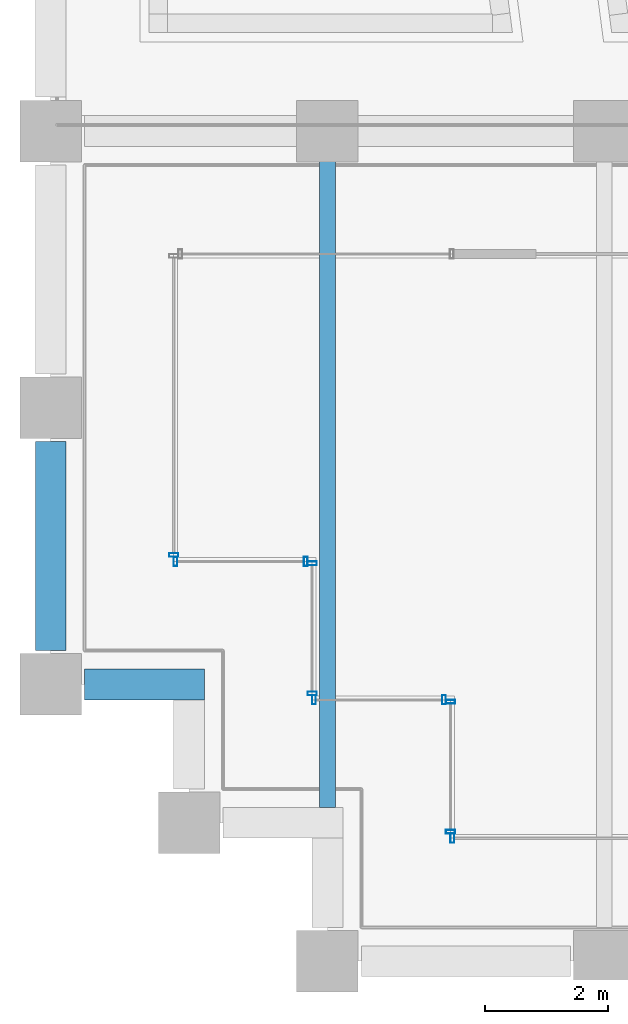
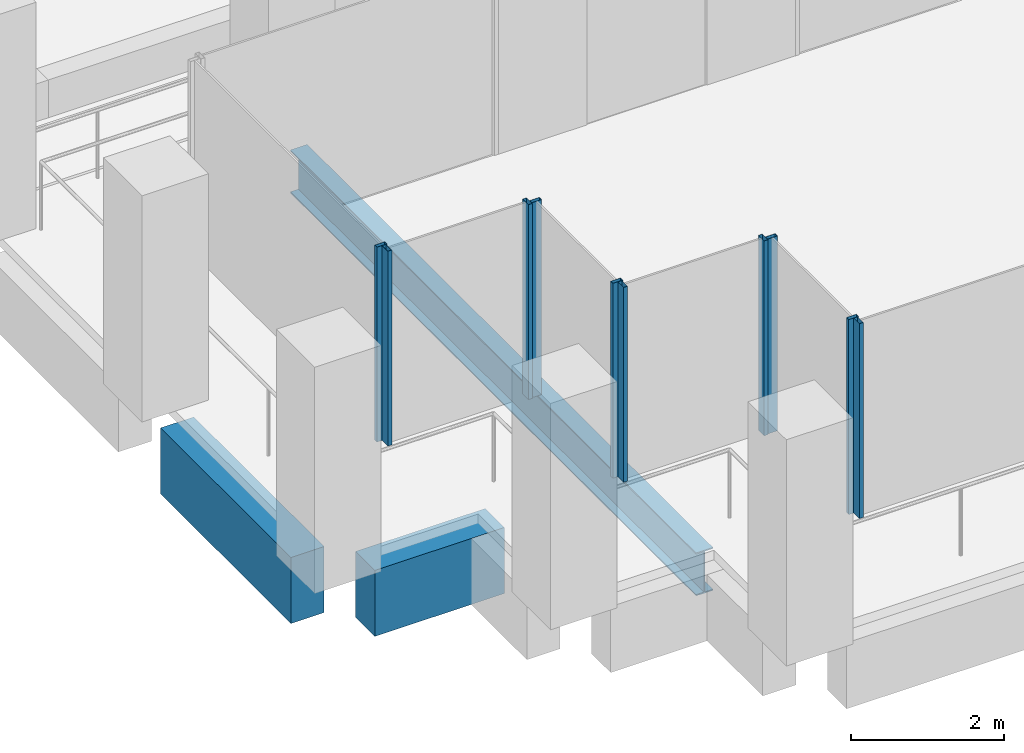
# One storey, part 2 of 52: 10 members, 3 beams, 6 elements without a shape of their own.
"""IFC4 building model written with IfcOpenShell, lengths in metres."""

from ifc_helpers import new_model, si_unit, direction, frame, origin, origin_2d, place, context, subcontext, project, spatial, rectangle, hollow_rectangle, i_section, extrude, material, material_profile, profile_set, type_object, element, aggregate, save


model = new_model("IFC4")

# Units and contexts
model_context = context("Model", 3, precision=1e-05, world=origin(), true_north=direction((0.0, 1.0)))
body_context = subcontext(model_context, "Body", "Model", "MODEL_VIEW")
ifc_project = project(units=[si_unit("LENGTHUNIT", "METRE"), si_unit("AREAUNIT", "SQUARE_METRE"), si_unit("VOLUMEUNIT", "CUBIC_METRE"), si_unit("PLANEANGLEUNIT", "RADIAN"), si_unit("MASSUNIT", "GRAM", prefix="KILO")], contexts=[model_context])

# Site, building, storey
site_placement = place(None, origin())
site = spatial("IfcSite", under=ifc_project, at=site_placement, CompositionType="ELEMENT")
building_placement = place(site_placement, origin())
building = spatial("IfcBuilding", under=site, at=building_placement, Name="Altepetl Exchange Towers", CompositionType="ELEMENT")
storey_placement = place(building_placement, frame((0.0, 0.0, 92.0)))
storey = spatial("IfcBuildingStorey", under=building, at=storey_placement, Name="L22", CompositionType="ELEMENT", Elevation=92.0)

# Beam
ifc_material_1 = material(Name="Steel S355", Category="steel")
ifc_material_profile_1 = material_profile(ifc_material_1, i_section(OverallWidth=0.25390625, OverallDepth=0.68408203125, WebThickness=0.012451171875, FlangeThickness=0.018798828125, at=origin_2d()), Name="W27X94")
ifc_profile_set_1 = profile_set([ifc_material_profile_1], Name="Steel S355")
beam_type_1 = type_object("IfcBeamType", Name="Floor beam W27X94", PredefinedType="BEAM", material=ifc_profile_set_1)
beam_1_placement = place(storey_placement, frame((31.5, 29.5, -0.491943359375), z_axis=(0.0, 1.0, 0.0), x_axis=(-1.0, 0.0, 0.0)))
element("IfcBeam", 1, at=beam_1_placement, inside=storey, type_object=beam_type_1, Name="bm:A:L22:012", PredefinedType="BEAM", context=body_context, shape_type="SweptSolid", body=[
    extrude(i_section(OverallWidth=0.25390625, OverallDepth=0.68408203125, WebThickness=0.012451171875, FlangeThickness=0.018798828125, at=origin_2d()), origin(), (0.0, 0.0, 1.0), 10.574951171875),
])

# Curtain wall, member
ifc_material_2 = material(Name="Aluminium 6063-T6 glazing", Category="aluminium")
curtain_wall_type = type_object("IfcCurtainWallType", Name="Loggia glazing system", PredefinedType="NOTDEFINED", material=ifc_material_2)
curtain_wall_1_placement = place(storey_placement, origin())
curtain_wall_1 = element("IfcCurtainWall", 2, at=curtain_wall_1_placement, inside=storey, type_object=curtain_wall_type, Name="CW1 run", PredefinedType="NOTDEFINED")
ifc_material_3 = material(Name="Aluminium 6063-T6", Category="aluminium")
ifc_material_profile_2 = material_profile(ifc_material_3, hollow_rectangle(XDim=0.06005859375, YDim=0.14990234375, WallThickness=0.0029296875, at=origin_2d()), Name="Mullion 60x150 aluminium")
ifc_profile_set_2 = profile_set([ifc_material_profile_2], Name="Aluminium 6063-T6")
member_type = type_object("IfcMemberType", Name="Mullion 60x150 aluminium", PredefinedType="MULLION", material=ifc_profile_set_2)
member_1_placement = place(storey_placement, frame((29.0, 33.60498046875, 0.0), z_axis=(0.0, 0.0, 1.0), x_axis=(0.0, -1.0, 0.0)))
member_1 = element("IfcMember", 3, at=member_1_placement, type_object=member_type, Name="MU1 mullion", PredefinedType="MULLION", context=body_context, shape_type="SweptSolid", body=[
    extrude(hollow_rectangle(XDim=0.06005859375, YDim=0.14990234375, WallThickness=0.0029296875, at=origin_2d()), origin(), (0.0, 0.0, 1.0), 3.10009765625),
])
aggregate(curtain_wall_1, [member_1])

# Curtain wall, members
curtain_wall_2_placement = place(storey_placement, origin())
curtain_wall_2 = element("IfcCurtainWall", 4, at=curtain_wall_2_placement, inside=storey, type_object=curtain_wall_type, Name="CW1 run", PredefinedType="NOTDEFINED")
member_2_placement = place(storey_placement, frame((29.030029296875, 33.5, 0.0)))
member_2 = element("IfcMember", 5, at=member_2_placement, type_object=member_type, Name="MU1 mullion", PredefinedType="MULLION", context=body_context, shape_type="SweptSolid", body=[
    extrude(hollow_rectangle(XDim=0.06005859375, YDim=0.14990234375, WallThickness=0.0029296875, at=origin_2d()), origin(), (0.0, 0.0, 1.0), 3.10009765625),
])
member_3_placement = place(storey_placement, frame((31.14501953125, 33.5, 0.0)))
member_3 = element("IfcMember", 6, at=member_3_placement, type_object=member_type, Name="MU1 mullion", PredefinedType="MULLION", context=body_context, shape_type="SweptSolid", body=[
    extrude(hollow_rectangle(XDim=0.06005859375, YDim=0.14990234375, WallThickness=0.0029296875, at=origin_2d()), origin(), (0.0, 0.0, 1.0), 3.10009765625),
])
aggregate(curtain_wall_2, [member_2, member_3])

curtain_wall_3_placement = place(storey_placement, origin())
curtain_wall_3 = element("IfcCurtainWall", 7, at=curtain_wall_3_placement, inside=storey, type_object=curtain_wall_type, Name="CW1 run", PredefinedType="NOTDEFINED")
member_4_placement = place(storey_placement, frame((31.25, 33.469970703125, 0.0), z_axis=(0.0, 0.0, 1.0), x_axis=(0.0, -1.0, 0.0)))
member_4 = element("IfcMember", 8, at=member_4_placement, type_object=member_type, Name="MU1 mullion", PredefinedType="MULLION", context=body_context, shape_type="SweptSolid", body=[
    extrude(hollow_rectangle(XDim=0.06005859375, YDim=0.14990234375, WallThickness=0.0029296875, at=origin_2d()), origin(), (0.0, 0.0, 1.0), 3.10009765625),
])
member_5_placement = place(storey_placement, frame((31.25, 31.35498046875, 0.0), z_axis=(0.0, 0.0, 1.0), x_axis=(0.0, -1.0, 0.0)))
member_5 = element("IfcMember", 9, at=member_5_placement, type_object=member_type, Name="MU1 mullion", PredefinedType="MULLION", context=body_context, shape_type="SweptSolid", body=[
    extrude(hollow_rectangle(XDim=0.06005859375, YDim=0.14990234375, WallThickness=0.0029296875, at=origin_2d()), origin(), (0.0, 0.0, 1.0), 3.10009765625),
])
aggregate(curtain_wall_3, [member_4, member_5])

curtain_wall_4_placement = place(storey_placement, origin())
curtain_wall_4 = element("IfcCurtainWall", 10, at=curtain_wall_4_placement, inside=storey, type_object=curtain_wall_type, Name="CW1 run", PredefinedType="NOTDEFINED")
member_6_placement = place(storey_placement, frame((31.280029296875, 31.25, 0.0)))
member_6 = element("IfcMember", 11, at=member_6_placement, type_object=member_type, Name="MU1 mullion", PredefinedType="MULLION", context=body_context, shape_type="SweptSolid", body=[
    extrude(hollow_rectangle(XDim=0.06005859375, YDim=0.14990234375, WallThickness=0.0029296875, at=origin_2d()), origin(), (0.0, 0.0, 1.0), 3.10009765625),
])
member_7_placement = place(storey_placement, frame((33.39501953125, 31.25, 0.0)))
member_7 = element("IfcMember", 12, at=member_7_placement, type_object=member_type, Name="MU1 mullion", PredefinedType="MULLION", context=body_context, shape_type="SweptSolid", body=[
    extrude(hollow_rectangle(XDim=0.06005859375, YDim=0.14990234375, WallThickness=0.0029296875, at=origin_2d()), origin(), (0.0, 0.0, 1.0), 3.10009765625),
])
aggregate(curtain_wall_4, [member_6, member_7])

curtain_wall_5_placement = place(storey_placement, origin())
curtain_wall_5 = element("IfcCurtainWall", 13, at=curtain_wall_5_placement, inside=storey, type_object=curtain_wall_type, Name="CW1 run", PredefinedType="NOTDEFINED")
member_8_placement = place(storey_placement, frame((33.5, 31.219970703125, 0.0), z_axis=(0.0, 0.0, 1.0), x_axis=(0.0, -1.0, 0.0)))
member_8 = element("IfcMember", 14, at=member_8_placement, type_object=member_type, Name="MU1 mullion", PredefinedType="MULLION", context=body_context, shape_type="SweptSolid", body=[
    extrude(hollow_rectangle(XDim=0.06005859375, YDim=0.14990234375, WallThickness=0.0029296875, at=origin_2d()), origin(), (0.0, 0.0, 1.0), 3.10009765625),
])
member_9_placement = place(storey_placement, frame((33.5, 29.10498046875, 0.0), z_axis=(0.0, 0.0, 1.0), x_axis=(0.0, -1.0, 0.0)))
member_9 = element("IfcMember", 15, at=member_9_placement, type_object=member_type, Name="MU1 mullion", PredefinedType="MULLION", context=body_context, shape_type="SweptSolid", body=[
    extrude(hollow_rectangle(XDim=0.06005859375, YDim=0.14990234375, WallThickness=0.0029296875, at=origin_2d()), origin(), (0.0, 0.0, 1.0), 3.10009765625),
])
aggregate(curtain_wall_5, [member_8, member_9])

# Curtain wall, member
curtain_wall_6_placement = place(storey_placement, origin())
curtain_wall_6 = element("IfcCurtainWall", 16, at=curtain_wall_6_placement, inside=storey, type_object=curtain_wall_type, Name="CW1 run", PredefinedType="NOTDEFINED")
member_10_placement = place(storey_placement, frame((33.530029296875, 29.0, 0.0)))
member_10 = element("IfcMember", 17, at=member_10_placement, type_object=member_type, Name="MU1 mullion", PredefinedType="MULLION", context=body_context, shape_type="SweptSolid", body=[
    extrude(hollow_rectangle(XDim=0.06005859375, YDim=0.14990234375, WallThickness=0.0029296875, at=origin_2d()), origin(), (0.0, 0.0, 1.0), 3.10009765625),
])
aggregate(curtain_wall_6, [member_10])

# Beams
ifc_material_4 = material(Name="Concrete C50/60 precast with cantera blanca facing", Category="concrete")
ifc_material_profile_3 = material_profile(ifc_material_4, rectangle(XDim=0.5, YDim=1.050048828125, at=origin_2d()), Name="500 x 1050")
ifc_profile_set_3 = profile_set([ifc_material_profile_3], Name="Concrete C50/60 precast with cantera blanca facing")
beam_type_2 = type_object("IfcBeamType", Name="Spandrel beam 500x1050 cantera blanca", PredefinedType="SPANDREL", material=ifc_profile_set_3)
beam_2_placement = place(storey_placement, frame((27.0, 35.449951171875, -0.675048828125), z_axis=(0.0, -1.0, 0.0), x_axis=(1.0, 0.0, 0.0)))
element("IfcBeam", 18, at=beam_2_placement, inside=storey, type_object=beam_type_2, Name="sp:A:L22:037", PredefinedType="SPANDREL", context=body_context, shape_type="SweptSolid", body=[
    extrude(rectangle(XDim=0.5, YDim=1.050048828125, at=origin_2d()), origin(), (0.0, 0.0, 1.0), 3.39990234375),
])
beam_3_placement = place(storey_placement, frame((27.550048828125, 31.5, -0.675048828125), z_axis=(1.0, 0.0, 0.0), x_axis=(0.0, 1.0, 0.0)))
element("IfcBeam", 19, at=beam_3_placement, inside=storey, type_object=beam_type_2, Name="sp:A:L22:038", PredefinedType="SPANDREL", context=body_context, shape_type="SweptSolid", body=[
    extrude(rectangle(XDim=0.5, YDim=1.050048828125, at=origin_2d()), origin(), (0.0, 0.0, 1.0), 1.949951171875),
])

save(model, "model.ifc")
